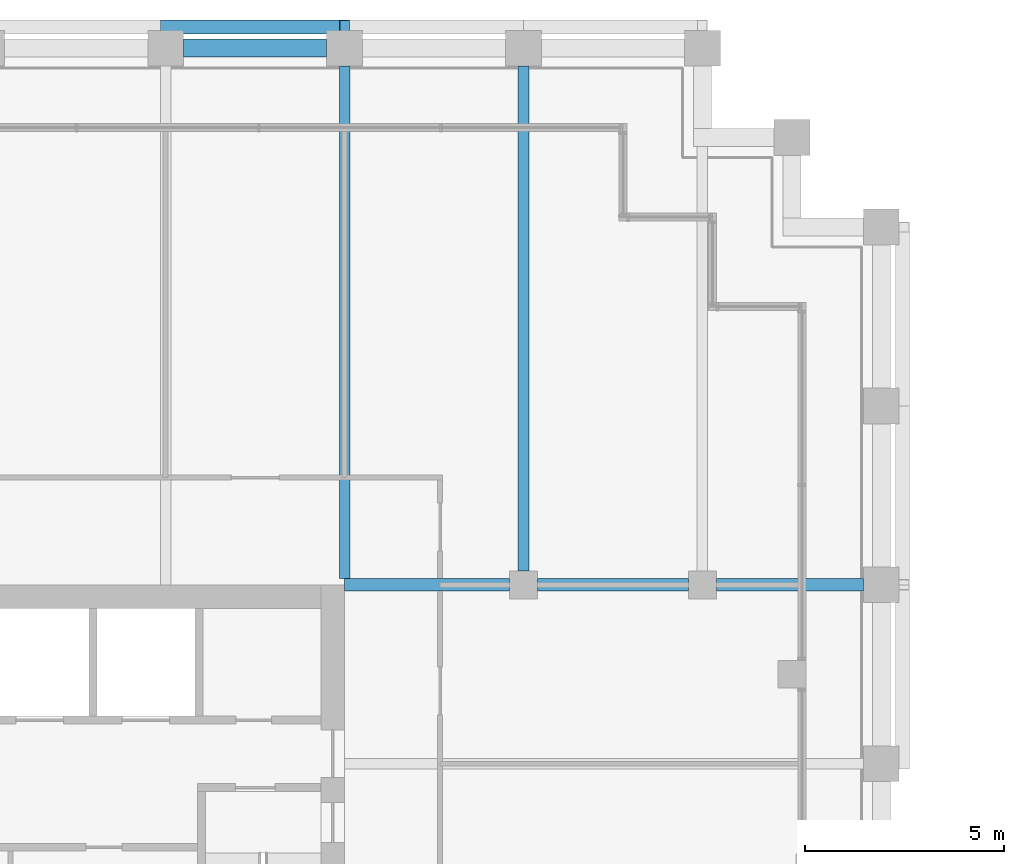
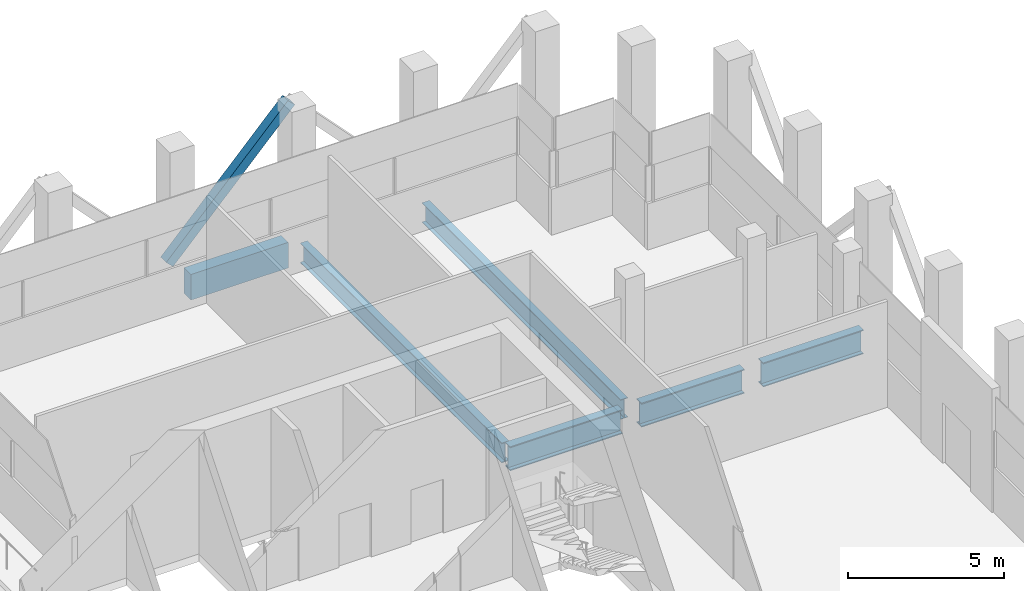
# One storey, part 18 of 34: 6 beams, 1 member.
"""IFC4 building model written with IfcOpenShell, lengths in metres."""

from ifc_helpers import new_model, si_unit, direction, frame, origin, origin_2d, place, context, subcontext, project, spatial, rectangle, hollow_rectangle, i_section, extrude, material, material_profile, profile_set, type_object, element, save


model = new_model("IFC4")

# Units and contexts
model_context = context("Model", 3, precision=1e-05, world=origin(), true_north=direction((0.0, 1.0)))
body_context = subcontext(model_context, "Body", "Model", "MODEL_VIEW")
ifc_project = project(units=[si_unit("LENGTHUNIT", "METRE"), si_unit("AREAUNIT", "SQUARE_METRE"), si_unit("VOLUMEUNIT", "CUBIC_METRE"), si_unit("PLANEANGLEUNIT", "RADIAN"), si_unit("MASSUNIT", "GRAM", prefix="KILO")], contexts=[model_context])

# Site, building, storey
site_placement = place(None, origin())
site = spatial("IfcSite", under=ifc_project, at=site_placement, CompositionType="ELEMENT")
building_placement = place(site_placement, origin())
building = spatial("IfcBuilding", under=site, at=building_placement, Name="Altepetl Exchange Towers", CompositionType="ELEMENT")
storey_placement = place(building_placement, frame((0.0, 0.0, 190.60009765625)))
storey = spatial("IfcBuildingStorey", under=building, at=storey_placement, Name="L48 Refuge", CompositionType="ELEMENT", Elevation=190.60009765625)

# Member
ifc_material_1 = material(Name="Steel S355", Category="steel")
ifc_material_profile_1 = material_profile(ifc_material_1, hollow_rectangle(XDim=0.35595703125, YDim=0.35595703125, WallThickness=0.014892578125, at=origin_2d()), Name="HSS356X356X15.9")
ifc_profile_set_1 = profile_set([ifc_material_profile_1], Name="Steel S355")
member_type = type_object("IfcMemberType", Name="Belt diagonal HSS356X356X15.9", PredefinedType="BRACE", material=ifc_profile_set_1)
member_placement = place(storey_placement, frame((58.5, 72.530029296875, 4.75), z_axis=(-0.687744647911, 0.0, -0.725952683906), x_axis=(0.0, -1.0, 0.0)))
element("IfcMember", 1, at=member_placement, inside=storey, type_object=member_type, Name="brc:A:L48:015", PredefinedType="BRACE", context=body_context, shape_type="SweptSolid", body=[
    extrude(hollow_rectangle(XDim=0.35595703125, YDim=0.35595703125, WallThickness=0.014892578125, at=origin_2d()), origin(), (0.0, 0.0, 1.0), 6.543212890625),
])

# Beams
ifc_material_profile_2 = material_profile(ifc_material_1, i_section(OverallWidth=0.26806640625, OverallDepth=0.77392578125, WebThickness=0.015380859375, FlangeThickness=0.025390625, at=origin_2d()), Name="W30X132")
ifc_profile_set_2 = profile_set([ifc_material_profile_2], Name="Steel S355")
beam_type_1 = type_object("IfcBeamType", Name="Floor beam W30X132", PredefinedType="BEAM", material=ifc_profile_set_2)
beam_1_placement = place(storey_placement, frame((58.5, 58.654052734375, -0.587158203125), z_axis=(0.0, 1.0, 0.0), x_axis=(-1.0, 0.0, 0.0)))
element("IfcBeam", 2, at=beam_1_placement, inside=storey, type_object=beam_type_1, Name="bm:A:L48:003", PredefinedType="BEAM", context=body_context, shape_type="SweptSolid", body=[
    extrude(i_section(OverallWidth=0.26806640625, OverallDepth=0.77392578125, WebThickness=0.015380859375, FlangeThickness=0.025390625, at=origin_2d()), origin(), (0.0, 0.0, 1.0), 12.89599609375),
])
beam_2_placement = place(storey_placement, frame((63.0, 58.85009765625, -0.587158203125), z_axis=(0.0, 1.0, 0.0), x_axis=(-1.0, 0.0, 0.0)))
element("IfcBeam", 3, at=beam_2_placement, inside=storey, type_object=beam_type_1, Name="bm:A:L48:004", PredefinedType="BEAM", context=body_context, shape_type="SweptSolid", body=[
    extrude(i_section(OverallWidth=0.26806640625, OverallDepth=0.77392578125, WebThickness=0.015380859375, FlangeThickness=0.025390625, at=origin_2d()), origin(), (0.0, 0.0, 1.0), 12.699951171875),
])
ifc_material_profile_3 = material_profile(ifc_material_1, i_section(OverallWidth=0.30810546875, OverallDepth=0.943115234375, WebThickness=0.022216796875, FlangeThickness=0.039794921875, at=origin_2d()), Name="W36X232")
ifc_profile_set_3 = profile_set([ifc_material_profile_3], Name="Steel S355")
beam_type_2 = type_object("IfcBeamType", Name="Girder W36X232", PredefinedType="BEAM", material=ifc_profile_set_3)
beam_3_placement = place(storey_placement, frame((58.5, 58.5, -0.671630859375), z_axis=(1.0, 0.0, 0.0), x_axis=(0.0, 1.0, 0.0)))
element("IfcBeam", 4, at=beam_3_placement, inside=storey, type_object=beam_type_2, Name="gd:A:L48:000", PredefinedType="BEAM", context=body_context, shape_type="SweptSolid", body=[
    extrude(i_section(OverallWidth=0.30810546875, OverallDepth=0.943115234375, WebThickness=0.022216796875, FlangeThickness=0.039794921875, at=origin_2d()), origin(), (0.0, 0.0, 1.0), 4.14990234375),
])
beam_4_placement = place(storey_placement, frame((63.35009765625, 58.5, -0.671630859375), z_axis=(1.0, 0.0, 0.0), x_axis=(0.0, 1.0, 0.0)))
element("IfcBeam", 5, at=beam_4_placement, inside=storey, type_object=beam_type_2, Name="gd:A:L48:001", PredefinedType="BEAM", context=body_context, shape_type="SweptSolid", body=[
    extrude(i_section(OverallWidth=0.30810546875, OverallDepth=0.943115234375, WebThickness=0.022216796875, FlangeThickness=0.039794921875, at=origin_2d()), origin(), (0.0, 0.0, 1.0), 3.7998046875),
])
beam_5_placement = place(storey_placement, frame((67.85009765625, 58.5, -0.671630859375), z_axis=(1.0, 0.0, 0.0), x_axis=(0.0, 1.0, 0.0)))
element("IfcBeam", 6, at=beam_5_placement, inside=storey, type_object=beam_type_2, Name="gd:A:L48:002", PredefinedType="BEAM", context=body_context, shape_type="SweptSolid", body=[
    extrude(i_section(OverallWidth=0.30810546875, OverallDepth=0.943115234375, WebThickness=0.022216796875, FlangeThickness=0.039794921875, at=origin_2d()), origin(), (0.0, 0.0, 1.0), 3.699951171875),
])
ifc_material_2 = material(Name="Concrete C50/60 precast with cantera rosa facing", Category="concrete")
ifc_material_profile_4 = material_profile(ifc_material_2, rectangle(XDim=0.449951171875, YDim=1.0, at=origin_2d()), Name="450 x 1000")
ifc_profile_set_4 = profile_set([ifc_material_profile_4], Name="Concrete C50/60 precast with cantera rosa facing")
beam_type_3 = type_object("IfcBeamType", Name="Spandrel beam 450x1000 cantera rosa", PredefinedType="SPANDREL", material=ifc_profile_set_4)
beam_6_placement = place(storey_placement, frame((58.050048828125, 72.0, -0.7001953125), z_axis=(-1.0, 0.0, 0.0), x_axis=(0.0, -1.0, 0.0)))
element("IfcBeam", 7, at=beam_6_placement, inside=storey, type_object=beam_type_3, Name="sp:A:L48:026", PredefinedType="SPANDREL", context=body_context, shape_type="SweptSolid", body=[
    extrude(rectangle(XDim=0.449951171875, YDim=1.0, at=origin_2d()), origin(), (0.0, 0.0, 1.0), 3.60009765625),
])

save(model, "model.ifc")
